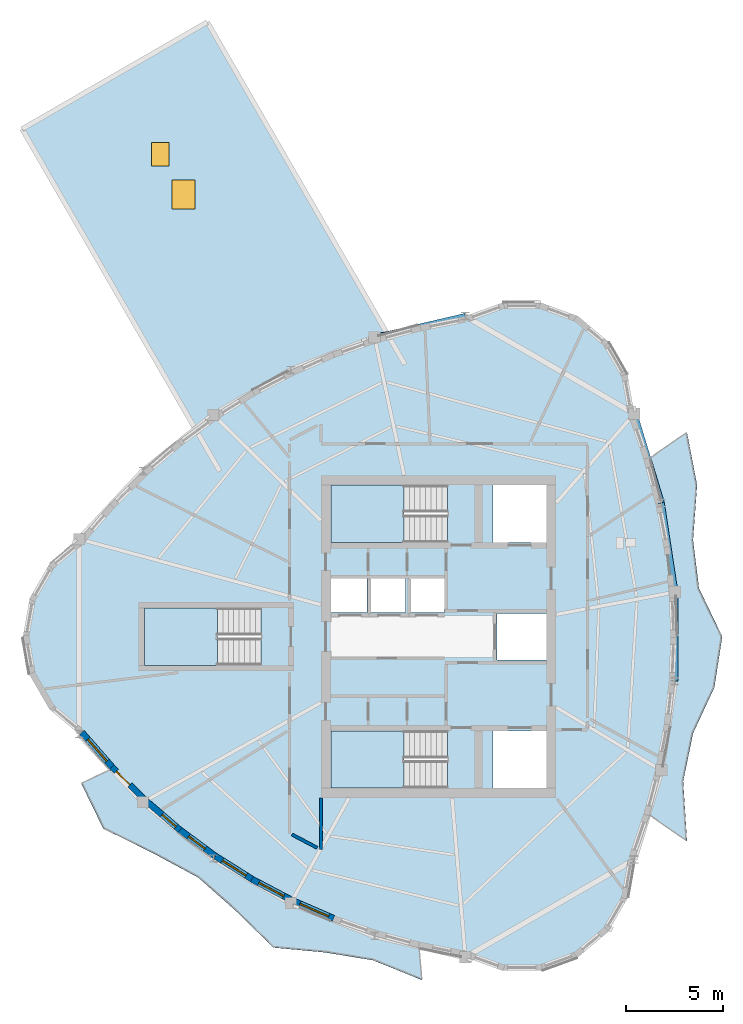
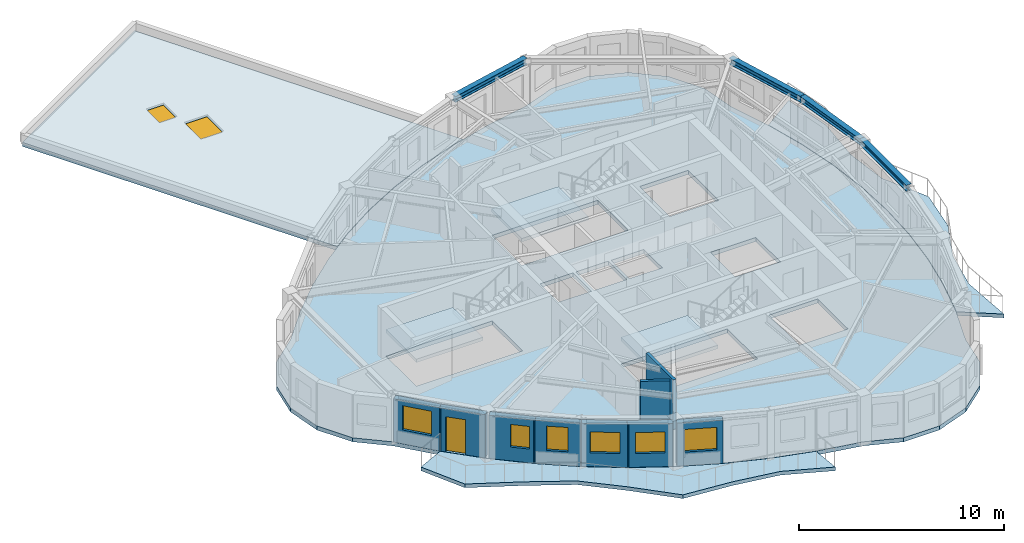
# One storey, part 2 of 11: 9 walls, 8 windows, 7 slabs, 4 beams, 1 door, 9 openings, 3 elements without a shape of their own.
"""IFC4 building model written with IfcOpenShell, lengths in metres."""

from ifc_helpers import new_model, si_unit, direction, frame, frame_2d, origin, origin_2d, place, context, subcontext, project, spatial, polyline, rectangle, i_section, outline, extrude, source, transform, mapped, material, layer, layer_set, material_profile, profile_set, type_object, element, fill, aggregate, save


model = new_model("IFC4")

# Units and contexts
model_context = context("Model", 3, precision=1e-05, world=origin(), true_north=direction((0.0, 1.0)))
body_context = subcontext(model_context, "Body", "Model", "MODEL_VIEW")
ifc_project = project(units=[si_unit("LENGTHUNIT", "METRE"), si_unit("AREAUNIT", "SQUARE_METRE"), si_unit("VOLUMEUNIT", "CUBIC_METRE"), si_unit("PLANEANGLEUNIT", "RADIAN"), si_unit("MASSUNIT", "GRAM", prefix="KILO")], contexts=[model_context])

# Site, building, storey
site_placement = place(None, origin())
site = spatial("IfcSite", under=ifc_project, at=site_placement, CompositionType="ELEMENT")
building_placement = place(site_placement, origin())
building = spatial("IfcBuilding", under=site, at=building_placement, Name="Qafzar Sky-Pleat Residences", CompositionType="ELEMENT")
storey_placement = place(building_placement, frame((0.0, 0.0, 214.800048828125)))
storey = spatial("IfcBuildingStorey", under=building, at=storey_placement, Name="L64", CompositionType="ELEMENT", Elevation=214.800048828125)

# Beams
ifc_material_1 = material(Name="Steel S355", Category="steel")
ifc_material_profile = material_profile(ifc_material_1, i_section(OverallWidth=0.300048828125, OverallDepth=0.360107421875, WebThickness=0.012451171875, FlangeThickness=0.0224609375, FilletRadius=0.027099609375, at=origin_2d()), Name="HEB 360")
ifc_profile_set = profile_set([ifc_material_profile], Name="Steel S355")
beam_type = type_object("IfcBeamType", Name="BM-SPAN-HEB360", PredefinedType="SPANDREL", material=ifc_profile_set)
shared_shape_1 = source(origin(), body_context, "Body", "SweptSolid", [
    extrude(i_section(OverallWidth=0.300048828125, OverallDepth=0.360107421875, WebThickness=0.012451171875, FlangeThickness=0.0224609375, FilletRadius=0.027099609375, at=origin_2d()), origin(), (0.0, 0.0, 1.0), 4.797119140625),
])
beam_1_placement = place(storey_placement, frame((41.8203125, 32.885009765625, 2.77783203125), z_axis=(-0.290847707489, 0.95676936147, 0.0), x_axis=(-0.95676936147, -0.290847707489, 0.0)))
element("IfcBeam", 1, at=beam_1_placement, inside=storey, type_object=beam_type, Name="L64 Perimeter Spandrel Beam 12", PredefinedType="SPANDREL", context=body_context, shape_type="MappedRepresentation", body=[
    mapped(shared_shape_1, transform((0.0, 0.0, 0.0), x_axis=(1.0, 0.0, 0.0), y_axis=(0.0, 1.0, 0.0), z_axis=(0.0, 0.0, 1.0), scale=1.0)),
])
shared_shape_2 = source(origin(), body_context, "Body", "SweptSolid", [
    extrude(i_section(OverallWidth=0.300048828125, OverallDepth=0.360107421875, WebThickness=0.012451171875, FlangeThickness=0.0224609375, FilletRadius=0.027099609375, at=origin_2d()), origin(), (0.0, 0.0, 1.0), 4.797607421875),
])
beam_2_placement = place(storey_placement, frame((31.72509765625, 42.497802734375, 2.77783203125), z_axis=(-0.974009854719, -0.226505635494, 0.0), x_axis=(0.226505635494, -0.974009854719, 0.0)))
element("IfcBeam", 2, at=beam_2_placement, inside=storey, type_object=beam_type, Name="L64 Perimeter Spandrel Beam 14", PredefinedType="SPANDREL", context=body_context, shape_type="MappedRepresentation", body=[
    mapped(shared_shape_2, transform((0.0, 0.0, 0.0), x_axis=(1.0, 0.0, 0.0), y_axis=(0.0, 1.0, 0.0), z_axis=(0.0, 0.0, 1.0), scale=1.0)),
])
shared_shape_3 = source(origin(), body_context, "Body", "SweptSolid", [
    extrude(i_section(OverallWidth=0.300048828125, OverallDepth=0.360107421875, WebThickness=0.012451171875, FlangeThickness=0.0224609375, FilletRadius=0.027099609375, at=origin_2d()), origin(), (0.0, 0.0, 1.0), 4.642822265625),
])
beam_3_placement = place(storey_placement, frame((42.51806640625, 28.294921875, 2.77783203125), z_axis=(-0.150286694564, 0.988642457837, 0.0), x_axis=(-0.988642457837, -0.150286694564, 0.0)))
element("IfcBeam", 3, at=beam_3_placement, inside=storey, type_object=beam_type, Name="L64 Perimeter Spandrel Beam 11", PredefinedType="SPANDREL", context=body_context, shape_type="MappedRepresentation", body=[
    mapped(shared_shape_3, transform((0.0, 0.0, 0.0), x_axis=(1.0, 0.0, 0.0), y_axis=(0.0, 1.0, 0.0), z_axis=(0.0, 0.0, 1.0), scale=1.0)),
])
shared_shape_4 = source(origin(), body_context, "Body", "SweptSolid", [
    extrude(i_section(OverallWidth=0.300048828125, OverallDepth=0.360107421875, WebThickness=0.012451171875, FlangeThickness=0.0224609375, FilletRadius=0.027099609375, at=origin_2d()), origin(), (0.0, 0.0, 1.0), 4.58984375),
])
beam_4_placement = place(storey_placement, frame((42.51806640625, 23.705078125, 2.77783203125), z_axis=(0.0, 1.0, 0.0), x_axis=(-1.0, 0.0, 0.0)))
element("IfcBeam", 4, at=beam_4_placement, inside=storey, type_object=beam_type, Name="L64 Perimeter Spandrel Beam 10", PredefinedType="SPANDREL", context=body_context, shape_type="MappedRepresentation", body=[
    mapped(shared_shape_4, transform((0.0, 0.0, 0.0), x_axis=(1.0, 0.0, 0.0), y_axis=(0.0, 1.0, 0.0), z_axis=(0.0, 0.0, 1.0), scale=1.0)),
])

# Slabs
ifc_material_2 = material(Name="Concrete C40/50", Category="concrete")
ifc_layer_1 = layer(ifc_material_2, 0.219970703125)
ifc_layer_set_1 = layer_set([ifc_layer_1], Name="Concrete C40/50")
slab_type_1 = type_object("IfcSlabType", Name="SLAB-BAL-220", PredefinedType="USERDEFINED", material=ifc_layer_set_1)
slab_1_placement = place(storey_placement, frame((0.0, 0.0, -0.219970703125)))
element("IfcSlab", 5, at=slab_1_placement, inside=storey, type_object=slab_type_1, Name="L64 Pleated Stone Balcony 1", ObjectType="BALCONY", PredefinedType="USERDEFINED", context=body_context, shape_type="SweptSolid", body=[
    extrude(outline(polyline([(41.8310546875, 19.109619140625), (42.267822265625, 21.406494140625), (42.52978515625, 23.703125), (42.6171875, 26.0), (42.52978515625, 28.296875), (42.267822265625, 30.593505859375), (41.8310546875, 32.890380859375), (41.2197265625, 35.186767578125), (43.1337890625, 36.516845703125), (43.6552734375, 33.799072265625), (43.4462890625, 30.972900390625), (43.752685546875, 28.490234375), (44.947998046875, 26.0), (44.54296875, 23.385009765625), (43.4462890625, 21.027099609375), (42.939208984375, 18.5576171875), (43.1337890625, 15.483154296875), (41.2197265625, 16.813232421875), (41.8310546875, 19.109619140625)])), origin(), (0.0, 0.0, 1.0), 0.219970703125),
])
slab_2_placement = place(storey_placement, frame((0.0, 0.0, -0.219970703125)))
element("IfcSlab", 6, at=slab_2_placement, inside=storey, type_object=slab_type_1, Name="L64 Pleated Stone Balcony 2", ObjectType="BALCONY", PredefinedType="USERDEFINED", context=body_context, shape_type="SweptSolid", body=[
    extrude(outline(polyline([(15.1171875, 17.467041015625), (16.887939453125, 15.9404296875), (18.74609375, 14.565185546875), (20.69140625, 13.341064453125), (22.72412109375, 12.268310546875), (24.84423828125, 11.346923828125), (27.051513671875, 10.576904296875), (29.34619140625, 9.9580078125), (29.483154296875, 8.32568359375), (26.9755859375, 9.34130859375), (24.49951171875, 9.74560546875), (21.849853515625, 9.99267578125), (19.872314453125, 11.922607421875), (17.967041015625, 13.602783203125), (15.673583984375, 14.84130859375), (13.084716796875, 16.120849609375), (11.9521484375, 18.447265625), (13.43408203125, 19.144775390625), (15.1171875, 17.467041015625)])), origin(), (0.0, 0.0, 1.0), 0.219970703125),
])
ifc_layer_2 = layer(ifc_material_2, 0.239990234375)
ifc_layer_set_2 = layer_set([ifc_layer_2], Name="Concrete C40/50")
slab_type_2 = type_object("IfcSlabType", Name="SLAB-FLR-240", PredefinedType="FLOOR", material=ifc_layer_set_2)
slab_3_placement = place(storey_placement, frame((0.0, 0.0, -0.239990234375)))
element("IfcSlab", 7, at=slab_3_placement, inside=storey, type_object=slab_type_2, Name="L64 Structural Floor Slab", PredefinedType="FLOOR", context=body_context, shape_type="SweptSolid", body=[
    extrude(outline(polyline([(11.85009765625, 31.02294921875), (10.306884765625, 29.728271484375), (9.2998046875, 27.983642578125), (8.949951171875, 26.0), (9.2998046875, 24.016357421875), (10.306884765625, 22.271728515625), (11.85009765625, 20.97705078125), (13.445068359375, 19.14990234375), (15.127197265625, 17.4736328125), (16.896728515625, 15.948486328125), (18.75341796875, 14.574462890625), (20.697509765625, 13.3515625), (22.728515625, 12.279541015625), (24.8466796875, 11.358642578125), (27.05224609375, 10.5888671875), (29.34521484375, 9.969970703125), (31.72509765625, 9.502197265625), (33.617919921875, 8.813232421875), (35.632080078125, 8.813232421875), (37.52490234375, 9.502197265625), (39.068115234375, 10.797119140625), (40.0751953125, 12.54150390625), (40.425048828125, 14.525146484375), (41.2099609375, 16.820068359375), (41.8203125, 19.114990234375), (42.25634765625, 21.41015625), (42.51806640625, 23.705078125), (42.605224609375, 26.0), (42.51806640625, 28.294921875), (42.25634765625, 30.58984375), (41.8203125, 32.885009765625), (41.2099609375, 35.179931640625), (40.425048828125, 37.474853515625), (40.0751953125, 39.45849609375), (39.068115234375, 41.202880859375), (37.52490234375, 42.497802734375), (35.632080078125, 43.186767578125), (33.617919921875, 43.186767578125), (31.72509765625, 42.497802734375), (29.34521484375, 42.030029296875), (27.05224609375, 41.4111328125), (24.8466796875, 40.641357421875), (22.728515625, 39.720458984375), (20.697509765625, 38.6484375), (18.75341796875, 37.425537109375), (16.896728515625, 36.051513671875), (15.127197265625, 34.5263671875), (13.445068359375, 32.85009765625), (11.85009765625, 31.02294921875)]), holes=[polyline([(30.797119140625, 21.14990234375), (24.800048828125, 21.14990234375), (24.800048828125, 18.199951171875), (30.797119140625, 18.199951171875), (30.797119140625, 21.14990234375)]), polyline([(30.797119140625, 33.800048828125), (24.800048828125, 33.800048828125), (24.800048828125, 30.85009765625), (30.797119140625, 30.85009765625), (30.797119140625, 33.800048828125)]), polyline([(21.197021484375, 27.47509765625), (15.199951171875, 27.47509765625), (15.199951171875, 24.52490234375), (21.197021484375, 24.52490234375), (21.197021484375, 27.47509765625)]), polyline([(24.800048828125, 27.25), (26.64990234375, 27.25), (26.64990234375, 29.050048828125), (24.800048828125, 29.050048828125), (24.800048828125, 27.25)]), polyline([(26.800048828125, 27.25), (28.64990234375, 27.25), (28.64990234375, 29.050048828125), (26.800048828125, 29.050048828125), (26.800048828125, 27.25)]), polyline([(28.800048828125, 27.25), (30.64990234375, 27.25), (30.64990234375, 29.050048828125), (28.800048828125, 29.050048828125), (28.800048828125, 27.25)]), polyline([(33.14990234375, 18.199951171875), (35.89990234375, 18.199951171875), (35.89990234375, 21.14990234375), (33.14990234375, 21.14990234375), (33.14990234375, 18.199951171875)]), polyline([(33.14990234375, 30.85009765625), (35.89990234375, 30.85009765625), (35.89990234375, 33.800048828125), (33.14990234375, 33.800048828125), (33.14990234375, 30.85009765625)]), polyline([(33.35009765625, 24.800048828125), (35.89990234375, 24.800048828125), (35.89990234375, 27.199951171875), (33.35009765625, 27.199951171875), (33.35009765625, 24.800048828125)])]), origin(), (0.0, 0.0, 1.0), 0.239990234375),
])

# Stair, slab
stair_type = type_object("IfcStairType", Name="STAIR-H320", PredefinedType="HALF_TURN_STAIR", material=ifc_material_2)
stair_1_placement = place(storey_placement, origin())
stair_1 = element("IfcStair", 8, at=stair_1_placement, inside=storey, type_object=stair_type, Name="L64 Protected Exit Stair ST1", PredefinedType="HALF_TURN_STAIR")
ifc_layer_3 = layer(ifc_material_2, 0.199951171875)
ifc_layer_set_3 = layer_set([ifc_layer_3], Name="Concrete C40/50")
slab_type_3 = type_object("IfcSlabType", Name="SLAB-LANDING-200", PredefinedType="LANDING", material=ifc_layer_set_3)
slab_4_placement = place(storey_placement, frame((0.0, 0.0, 1.39990234375)))
slab_4 = element("IfcSlab", 9, at=slab_4_placement, type_object=slab_type_3, Name="ST1 landing 1", PredefinedType="LANDING", context=body_context, shape_type="SweptSolid", body=[
    extrude(outline(polyline([(28.56005859375, 21.14990234375), (24.800048828125, 21.14990234375), (24.800048828125, 18.199951171875), (28.56005859375, 18.199951171875), (28.56005859375, 21.14990234375)])), origin(), (0.0, 0.0, 1.0), 0.199951171875),
])
aggregate(stair_1, [slab_4])

stair_2_placement = place(storey_placement, origin())
stair_2 = element("IfcStair", 10, at=stair_2_placement, inside=storey, type_object=stair_type, Name="L64 Protected Exit Stair ST2", PredefinedType="HALF_TURN_STAIR")
slab_5_placement = place(storey_placement, frame((0.0, 0.0, 1.39990234375)))
slab_5 = element("IfcSlab", 11, at=slab_5_placement, type_object=slab_type_3, Name="ST2 landing 1", PredefinedType="LANDING", context=body_context, shape_type="SweptSolid", body=[
    extrude(outline(polyline([(28.56005859375, 33.800048828125), (24.800048828125, 33.800048828125), (24.800048828125, 30.85009765625), (28.56005859375, 30.85009765625), (28.56005859375, 33.800048828125)])), origin(), (0.0, 0.0, 1.0), 0.199951171875),
])
aggregate(stair_2, [slab_5])

stair_3_placement = place(storey_placement, origin())
stair_3 = element("IfcStair", 12, at=stair_3_placement, inside=storey, type_object=stair_type, Name="L64 Protected Exit Stair ST3", PredefinedType="HALF_TURN_STAIR")
slab_6_placement = place(storey_placement, frame((0.0, 0.0, 1.39990234375)))
slab_6 = element("IfcSlab", 13, at=slab_6_placement, type_object=slab_type_3, Name="ST3 landing 1", PredefinedType="LANDING", context=body_context, shape_type="SweptSolid", body=[
    extrude(outline(polyline([(18.9599609375, 27.47509765625), (15.199951171875, 27.47509765625), (15.199951171875, 24.52490234375), (18.9599609375, 24.52490234375), (18.9599609375, 27.47509765625)])), origin(), (0.0, 0.0, 1.0), 0.199951171875),
])
aggregate(stair_3, [slab_6])

# Slab, openings, windows
ifc_layer_4 = layer(ifc_material_2, 0.235107421875)
ifc_layer_set_4 = layer_set([ifc_layer_4], Name="Concrete C40/50")
slab_type_4 = type_object("IfcSlabType", Name="SLAB-ROOF-235", PredefinedType="ROOF", material=ifc_layer_set_4)
slab_7_placement = place(storey_placement, frame((0.0, 0.0, -0.235107421875)))
slab_7 = element("IfcSlab", 14, at=slab_7_placement, inside=storey, type_object=slab_type_4, Name="L64 SB-5 Weatherproof Roof Deck", PredefinedType="ROOF", context=body_context, shape_type="SweptSolid", body=[
    extrude(outline(polyline([(8.912353515625, 52.131103515625), (18.438720703125, 57.631103515625), (27.694091796875, 41.60009765625), (27.04833984375, 41.42578125), (27.04736328125, 41.42529296875), (24.841796875, 40.655517578125), (24.8408203125, 40.6552734375), (22.722412109375, 39.734130859375), (22.721435546875, 39.733642578125), (20.6904296875, 38.661865234375), (20.689453125, 38.6611328125), (18.74560546875, 37.438232421875), (18.74462890625, 37.4375), (17.799560546875, 36.738037109375), (8.912353515625, 52.131103515625)])), origin(), (0.0, 0.0, 1.0), 0.235107421875),
])
opening_1_placement = place(slab_7_placement, frame((17.212890625, 48.75439453125, -0.010009765625)))
opening_1 = element("IfcOpeningElement", 15, at=opening_1_placement, cuts=slab_7, Name="Opening RH-01", PredefinedType="OPENING", context=body_context, shape_type="SweptSolid", body=[
    extrude(rectangle(XDim=1.199951171875, YDim=1.5, at=origin_2d()), origin(), (0.0, 0.0, 1.0), 0.255126953125),
])
opening_2_placement = place(slab_7_placement, frame((16.0126953125, 50.832763671875, -0.010009765625)))
opening_2 = element("IfcOpeningElement", 16, at=opening_2_placement, cuts=slab_7, Name="Opening RH-02", PredefinedType="OPENING", context=body_context, shape_type="SweptSolid", body=[
    extrude(rectangle(XDim=0.89990234375, YDim=1.199951171875, at=origin_2d()), origin(), (0.0, 0.0, 1.0), 0.255126953125),
])
ifc_material_3 = material(Name="Insulated safety glass roof hatch", Category="glass")
window_type_1 = type_object("IfcWindowType", Name="WIN-SKYLIGHT-1200", PartitioningType="SINGLE_PANEL", PredefinedType="SKYLIGHT", material=ifc_material_3)
window_1_placement = place(slab_7_placement, frame((17.212890625, 48.75439453125, 0.18505859375)))
window_1 = element("IfcWindow", 17, at=window_1_placement, inside=storey, type_object=window_type_1, Name="L64 SB-5 Roof Maintenance Skylight Hatch", OverallHeight=1.5, OverallWidth=1.199951171875, PartitioningType="SINGLE_PANEL", PredefinedType="SKYLIGHT", context=body_context, shape_type="SweptSolid", body=[
    extrude(rectangle(XDim=1.199951171875, YDim=1.5, at=origin_2d()), origin(), (0.0, 0.0, 1.0), 0.050048828125),
])
fill(opening_1, window_1)
window_type_2 = type_object("IfcWindowType", Name="WIN-SKYLIGHT-900", PartitioningType="SINGLE_PANEL", PredefinedType="SKYLIGHT", material=ifc_material_3)
window_2_placement = place(slab_7_placement, frame((16.0126953125, 50.832763671875, 0.18505859375)))
window_2 = element("IfcWindow", 18, at=window_2_placement, inside=storey, type_object=window_type_2, Name="L64 SB-5 Roof Inspection Skylight Hatch", OverallHeight=1.199951171875, OverallWidth=0.89990234375, PartitioningType="SINGLE_PANEL", PredefinedType="SKYLIGHT", context=body_context, shape_type="SweptSolid", body=[
    extrude(rectangle(XDim=0.89990234375, YDim=1.199951171875, at=origin_2d()), origin(), (0.0, 0.0, 1.0), 0.050048828125),
])
fill(opening_2, window_2)

# Walls
ifc_material_4 = material(Name="Acoustic gypsum plasterboard partition", Category="gypsum")
ifc_layer_5 = layer(ifc_material_4, 0.159912109375)
ifc_layer_set_5 = layer_set([ifc_layer_5], Name="Acoustic gypsum plasterboard partition")
wall_type_1 = type_object("IfcWallType", Name="PART-COR-160", PredefinedType="PARTITIONING", material=ifc_layer_set_5)
wall_1_placement = place(storey_placement, frame((24.300048828125, 15.0419921875, 0.0), z_axis=(0.0, 0.0, 1.0), x_axis=(0.0, 1.0, 0.0)))
element("IfcWall", 19, at=wall_1_placement, inside=storey, type_object=wall_type_1, Name="L64 Partition Wall PART-L64-PW-021", PredefinedType="PARTITIONING", context=body_context, shape_type="SweptSolid", body=[
    extrude(rectangle(XDim=2.64990234375, YDim=0.159912109375, at=frame_2d((1.324951171875, 0.0))), origin(), (0.0, 0.0, 1.0), 2.9599609375),
])
wall_2_placement = place(storey_placement, frame((22.804443359375, 15.8125, 0.0), z_axis=(0.0, 0.0, 1.0), x_axis=(0.884396237216, -0.466736859052, 0.0)))
element("IfcWall", 20, at=wall_2_placement, inside=storey, type_object=wall_type_1, Name="L64 Partition Wall PART-L64-PW-024", PredefinedType="PARTITIONING", context=body_context, shape_type="SweptSolid", body=[
    extrude(rectangle(XDim=1.462646484375, YDim=0.159912109375, at=frame_2d((0.7314453125, 0.0))), origin(), (0.0, 0.0, 1.0), 2.9599609375),
])

# Wall, opening, window
ifc_material_5 = material(Name="Precast concrete C40/50 with honed Riyadh limestone", Category="concrete")
ifc_layer_6 = layer(ifc_material_5, 0.320068359375)
ifc_layer_set_6 = layer_set([ifc_layer_6], Name="Precast concrete C40/50 with honed Riyadh limestone")
wall_type_2 = type_object("IfcWallType", Name="WALL-EXT-320", PredefinedType="SOLIDWALL", material=ifc_layer_set_6)
wall_3_placement = place(storey_placement, frame((11.983642578125, 21.0673828125, 0.0), z_axis=(0.0, 0.0, 1.0), x_axis=(0.657577552216, -0.753386861328, 0.0)))
wall_3 = element("IfcWall", 21, at=wall_3_placement, inside=storey, type_object=wall_type_2, Name="L64 Limestone Facade Wall 7", PredefinedType="SOLIDWALL", context=body_context, shape_type="SweptSolid", body=[
    extrude(rectangle(XDim=2.443603515625, YDim=0.320068359375, at=frame_2d((1.2216796875, 0.0))), origin(), (0.0, 0.0, 1.0), 2.579833984375),
])
opening_3_placement = place(wall_3_placement, frame((0.4619140625, 0.0, 0.820068359375)))
opening_3 = element("IfcOpeningElement", 22, at=opening_3_placement, cuts=wall_3, Name="Opening WN-03", PredefinedType="OPENING", context=body_context, shape_type="SweptSolid", body=[
    extrude(rectangle(XDim=1.5, YDim=1.449951171875, at=frame_2d((0.75, 0.72509765625))), frame((0.0, 0.169921875, 0.0), z_axis=(0.0, -1.0, 0.0), x_axis=(1.0, 0.0, 0.0)), (0.0, 0.0, 1.0), 0.340087890625),
])
ifc_material_6 = material(Name="Solar-control low-E glass in bronze aluminium frame", Category="glass")
window_type_3 = type_object("IfcWindowType", Name="WIN-03", PartitioningType="DOUBLE_PANEL_VERTICAL", PredefinedType="WINDOW", material=ifc_material_6)
shared_shape_5 = source(origin(), body_context, "Body", "SweptSolid", [
    extrude(rectangle(XDim=1.5, YDim=1.449951171875, at=frame_2d((0.75, 0.72509765625))), frame((0.0, 0.030029296875, 0.0), z_axis=(0.0, -1.0, 0.0), x_axis=(1.0, 0.0, 0.0)), (0.0, 0.0, 1.0), 0.06005859375),
])
window_3_placement = place(opening_3_placement, origin())
window_3 = element("IfcWindow", 23, at=window_3_placement, inside=storey, type_object=window_type_3, Name="L64 Punched Facade Window 07", OverallHeight=1.449951171875, OverallWidth=1.5, PartitioningType="SINGLE_PANEL", PredefinedType="WINDOW", context=body_context, shape_type="MappedRepresentation", body=[
    mapped(shared_shape_5, transform((0.0, 0.0, 0.0), x_axis=(1.0, 0.0, 0.0), y_axis=(0.0, 1.0, 0.0), z_axis=(0.0, 0.0, 1.0), scale=1.0)),
])
fill(opening_3, window_3)

# Wall, opening, door
wall_4_placement = place(storey_placement, frame((13.531005859375, 19.2900390625, 0.0), z_axis=(0.0, 0.0, 1.0), x_axis=(0.708419394795, -0.705791726417, 0.0)))
wall_4 = element("IfcWall", 24, at=wall_4_placement, inside=storey, type_object=wall_type_2, Name="L64 Limestone Facade Wall 8", PredefinedType="SOLIDWALL", context=body_context, shape_type="SweptSolid", body=[
    extrude(rectangle(XDim=2.32275390625, YDim=0.320068359375, at=frame_2d((1.161376953125, 0.0))), origin(), (0.0, 0.0, 1.0), 2.579833984375),
])
opening_4_placement = place(wall_4_placement, frame((0.31298828125, 0.0, 0.0)))
opening_4 = element("IfcOpeningElement", 25, at=opening_4_placement, cuts=wall_4, Name="Opening ED-05", PredefinedType="OPENING", context=body_context, shape_type="SweptSolid", body=[
    extrude(rectangle(XDim=1.0, YDim=2.10009765625, at=frame_2d((0.5, 1.050048828125))), frame((0.0, 0.169921875, 0.0), z_axis=(0.0, -1.0, 0.0), x_axis=(1.0, 0.0, 0.0)), (0.0, 0.0, 1.0), 0.340087890625),
])
ifc_material_7 = material(Name="Glazed bronze aluminium door", Category="aluminium")
door_type = type_object("IfcDoorType", Name="DR-BAL-1000", OperationType="NOTDEFINED", PredefinedType="DOOR", material=ifc_material_7)
shared_shape_6 = source(origin(), body_context, "Body", "SweptSolid", [
    extrude(rectangle(XDim=1.0, YDim=2.10009765625, at=frame_2d((0.5, 1.050048828125))), frame((0.0, 0.02490234375, 0.0), z_axis=(0.0, -1.0, 0.0), x_axis=(1.0, 0.0, 0.0)), (0.0, 0.0, 1.0), 0.050048828125),
])
door_placement = place(opening_4_placement, origin())
door = element("IfcDoor", 26, at=door_placement, inside=storey, type_object=door_type, Name="L64 Glazed Balcony Door 2", OperationType="SINGLE_SWING_LEFT", OverallHeight=2.10009765625, OverallWidth=1.0, PredefinedType="DOOR", context=body_context, shape_type="MappedRepresentation", body=[
    mapped(shared_shape_6, transform((0.0, 0.0, 0.0), x_axis=(1.0, 0.0, 0.0), y_axis=(0.0, 1.0, 0.0), z_axis=(0.0, 0.0, 1.0), scale=1.0)),
])
fill(opening_4, door)

# Wall, opening, window
wall_5_placement = place(storey_placement, frame((15.2998046875, 17.5361328125, 0.0), z_axis=(0.0, 0.0, 1.0), x_axis=(0.757488333031, -0.652848700177, 0.0)))
wall_5 = element("IfcWall", 27, at=wall_5_placement, inside=storey, type_object=wall_type_2, Name="L64 Limestone Facade Wall 9", PredefinedType="SOLIDWALL", context=body_context, shape_type="SweptSolid", body=[
    extrude(rectangle(XDim=2.2841796875, YDim=0.320068359375, at=frame_2d((1.14208984375, 0.0))), origin(), (0.0, 0.0, 1.0), 2.579833984375),
])
opening_5_placement = place(wall_5_placement, frame((1.06689453125, 0.0, 0.820068359375)))
opening_5 = element("IfcOpeningElement", 28, at=opening_5_placement, cuts=wall_5, Name="Opening WN-12", PredefinedType="OPENING", context=body_context, shape_type="SweptSolid", body=[
    extrude(rectangle(XDim=0.949951171875, YDim=1.35009765625, at=frame_2d((0.47509765625, 0.675048828125))), frame((0.0, 0.169921875, 0.0), z_axis=(0.0, -1.0, 0.0), x_axis=(1.0, 0.0, 0.0)), (0.0, 0.0, 1.0), 0.340087890625),
])
window_type_4 = type_object("IfcWindowType", Name="WIN-12", PartitioningType="SINGLE_PANEL", PredefinedType="WINDOW", material=ifc_material_6)
shared_shape_7 = source(origin(), body_context, "Body", "SweptSolid", [
    extrude(rectangle(XDim=0.949951171875, YDim=1.35009765625, at=frame_2d((0.47509765625, 0.675048828125))), frame((0.0, 0.030029296875, 0.0), z_axis=(0.0, -1.0, 0.0), x_axis=(1.0, 0.0, 0.0)), (0.0, 0.0, 1.0), 0.06005859375),
])
window_4_placement = place(opening_5_placement, origin())
window_4 = element("IfcWindow", 29, at=window_4_placement, inside=storey, type_object=window_type_4, Name="L64 Punched Facade Window 09-2", OverallHeight=1.35009765625, OverallWidth=0.949951171875, PartitioningType="SINGLE_PANEL", PredefinedType="WINDOW", context=body_context, shape_type="MappedRepresentation", body=[
    mapped(shared_shape_7, transform((0.0, 0.0, 0.0), x_axis=(1.0, 0.0, 0.0), y_axis=(0.0, 1.0, 0.0), z_axis=(0.0, 0.0, 1.0), scale=1.0)),
])
fill(opening_5, window_4)

wall_6_placement = place(storey_placement, frame((16.96142578125, 16.099853515625, 0.0), z_axis=(0.0, 0.0, 1.0), x_axis=(0.803809802043, -0.594886377504, 0.0)))
wall_6 = element("IfcWall", 30, at=wall_6_placement, inside=storey, type_object=wall_type_2, Name="L64 Limestone Facade Wall 10", PredefinedType="SOLIDWALL", context=body_context, shape_type="SweptSolid", body=[
    extrude(rectangle(XDim=2.327880859375, YDim=0.320068359375, at=frame_2d((1.1640625, 0.0))), origin(), (0.0, 0.0, 1.0), 2.579833984375),
])
opening_6_placement = place(wall_6_placement, frame((0.64892578125, 0.0, 0.820068359375)))
opening_6 = element("IfcOpeningElement", 31, at=opening_6_placement, cuts=wall_6, Name="Opening WN-06", PredefinedType="OPENING", context=body_context, shape_type="SweptSolid", body=[
    extrude(rectangle(XDim=1.050048828125, YDim=1.449951171875, at=frame_2d((0.52490234375, 0.72509765625))), frame((0.0, 0.169921875, 0.0), z_axis=(0.0, -1.0, 0.0), x_axis=(1.0, 0.0, 0.0)), (0.0, 0.0, 1.0), 0.340087890625),
])
window_type_5 = type_object("IfcWindowType", Name="WIN-06", PartitioningType="SINGLE_PANEL", PredefinedType="WINDOW", material=ifc_material_6)
shared_shape_8 = source(origin(), body_context, "Body", "SweptSolid", [
    extrude(rectangle(XDim=1.050048828125, YDim=1.449951171875, at=frame_2d((0.52490234375, 0.72509765625))), frame((0.0, 0.030029296875, 0.0), z_axis=(0.0, -1.0, 0.0), x_axis=(1.0, 0.0, 0.0)), (0.0, 0.0, 1.0), 0.06005859375),
])
window_5_placement = place(opening_6_placement, origin())
window_5 = element("IfcWindow", 32, at=window_5_placement, inside=storey, type_object=window_type_5, Name="L64 Punched Facade Window 10", OverallHeight=1.449951171875, OverallWidth=1.050048828125, PartitioningType="SINGLE_PANEL", PredefinedType="WINDOW", context=body_context, shape_type="MappedRepresentation", body=[
    mapped(shared_shape_8, transform((0.0, 0.0, 0.0), x_axis=(1.0, 0.0, 0.0), y_axis=(0.0, 1.0, 0.0), z_axis=(0.0, 0.0, 1.0), scale=1.0)),
])
fill(opening_6, window_5)

wall_7_placement = place(storey_placement, frame((18.855712890625, 14.69921875, 0.0), z_axis=(0.0, 0.0, 1.0), x_axis=(0.846430078552, -0.532499879927, 0.0)))
wall_7 = element("IfcWall", 33, at=wall_7_placement, inside=storey, type_object=wall_type_2, Name="L64 Limestone Facade Wall 11", PredefinedType="SOLIDWALL", context=body_context, shape_type="SweptSolid", body=[
    extrude(rectangle(XDim=2.314453125, YDim=0.320068359375, at=frame_2d((1.1572265625, 0.0))), origin(), (0.0, 0.0, 1.0), 2.579833984375),
])
opening_7_placement = place(wall_7_placement, frame((0.42236328125, 0.0, 0.820068359375)))
opening_7 = element("IfcOpeningElement", 34, at=opening_7_placement, cuts=wall_7, Name="Opening WN-15", PredefinedType="OPENING", context=body_context, shape_type="SweptSolid", body=[
    extrude(rectangle(XDim=1.449951171875, YDim=1.25, at=frame_2d((0.72509765625, 0.625))), frame((0.0, 0.169921875, 0.0), z_axis=(0.0, -1.0, 0.0), x_axis=(1.0, 0.0, 0.0)), (0.0, 0.0, 1.0), 0.340087890625),
])
window_type_6 = type_object("IfcWindowType", Name="WIN-15", PartitioningType="SINGLE_PANEL", PredefinedType="WINDOW", material=ifc_material_6)
shared_shape_9 = source(origin(), body_context, "Body", "SweptSolid", [
    extrude(rectangle(XDim=1.449951171875, YDim=1.25, at=frame_2d((0.72509765625, 0.625))), frame((0.0, 0.030029296875, 0.0), z_axis=(0.0, -1.0, 0.0), x_axis=(1.0, 0.0, 0.0)), (0.0, 0.0, 1.0), 0.06005859375),
])
window_6_placement = place(opening_7_placement, origin())
window_6 = element("IfcWindow", 35, at=window_6_placement, inside=storey, type_object=window_type_6, Name="L64 Punched Facade Window 11", OverallHeight=1.25, OverallWidth=1.449951171875, PartitioningType="SINGLE_PANEL", PredefinedType="WINDOW", context=body_context, shape_type="MappedRepresentation", body=[
    mapped(shared_shape_9, transform((0.0, 0.0, 0.0), x_axis=(1.0, 0.0, 0.0), y_axis=(0.0, 1.0, 0.0), z_axis=(0.0, 0.0, 1.0), scale=1.0)),
])
fill(opening_7, window_6)

wall_8_placement = place(storey_placement, frame((20.738525390625, 13.5107421875, 0.0), z_axis=(0.0, 0.0, 1.0), x_axis=(0.884400965922, -0.466727898754, 0.0)))
wall_8 = element("IfcWall", 36, at=wall_8_placement, inside=storey, type_object=wall_type_2, Name="L64 Limestone Facade Wall 12", PredefinedType="SOLIDWALL", context=body_context, shape_type="SweptSolid", body=[
    extrude(rectangle(XDim=2.24462890625, YDim=0.320068359375, at=frame_2d((1.122314453125, 0.0))), origin(), (0.0, 0.0, 1.0), 2.579833984375),
])
opening_8_placement = place(wall_8_placement, frame((0.40234375, 0.0, 0.820068359375)))
opening_8 = element("IfcOpeningElement", 37, at=opening_8_placement, cuts=wall_8, Name="Opening WN-15", PredefinedType="OPENING", context=body_context, shape_type="SweptSolid", body=[
    extrude(rectangle(XDim=1.449951171875, YDim=1.25, at=frame_2d((0.72509765625, 0.625))), frame((0.0, 0.169921875, 0.0), z_axis=(0.0, -1.0, 0.0), x_axis=(1.0, 0.0, 0.0)), (0.0, 0.0, 1.0), 0.340087890625),
])
window_7_placement = place(opening_8_placement, origin())
window_7 = element("IfcWindow", 38, at=window_7_placement, inside=storey, type_object=window_type_6, Name="L64 Punched Facade Window 12", OverallHeight=1.25, OverallWidth=1.449951171875, PartitioningType="SINGLE_PANEL", PredefinedType="WINDOW", context=body_context, shape_type="MappedRepresentation", body=[
    mapped(shared_shape_9, transform((0.0, 0.0, 0.0), x_axis=(1.0, 0.0, 0.0), y_axis=(0.0, 1.0, 0.0), z_axis=(0.0, 0.0, 1.0), scale=1.0)),
])
fill(opening_8, window_7)

wall_9_placement = place(storey_placement, frame((22.874755859375, 12.390380859375, 0.0), z_axis=(0.0, 0.0, 1.0), x_axis=(0.917085527854, -0.398690524844, 0.0)))
wall_9 = element("IfcWall", 39, at=wall_9_placement, inside=storey, type_object=wall_type_2, Name="L64 Limestone Facade Wall 13", PredefinedType="SOLIDWALL", context=body_context, shape_type="SweptSolid", body=[
    extrude(rectangle(XDim=2.2578125, YDim=0.320068359375, at=frame_2d((1.12890625, 0.0))), origin(), (0.0, 0.0, 1.0), 2.579833984375),
])
opening_9_placement = place(wall_9_placement, frame((0.364013671875, 0.0, 0.820068359375)))
opening_9 = element("IfcOpeningElement", 40, at=opening_9_placement, cuts=wall_9, Name="Opening WN-09", PredefinedType="OPENING", context=body_context, shape_type="SweptSolid", body=[
    extrude(rectangle(XDim=1.60009765625, YDim=1.35009765625, at=frame_2d((0.800048828125, 0.675048828125))), frame((0.0, 0.169921875, 0.0), z_axis=(0.0, -1.0, 0.0), x_axis=(1.0, 0.0, 0.0)), (0.0, 0.0, 1.0), 0.340087890625),
])
window_type_7 = type_object("IfcWindowType", Name="WIN-09", PartitioningType="DOUBLE_PANEL_VERTICAL", PredefinedType="WINDOW", material=ifc_material_6)
shared_shape_10 = source(origin(), body_context, "Body", "SweptSolid", [
    extrude(rectangle(XDim=1.60009765625, YDim=1.35009765625, at=frame_2d((0.800048828125, 0.675048828125))), frame((0.0, 0.030029296875, 0.0), z_axis=(0.0, -1.0, 0.0), x_axis=(1.0, 0.0, 0.0)), (0.0, 0.0, 1.0), 0.06005859375),
])
window_8_placement = place(opening_9_placement, origin())
window_8 = element("IfcWindow", 41, at=window_8_placement, inside=storey, type_object=window_type_7, Name="L64 Punched Facade Window 13", OverallHeight=1.35009765625, OverallWidth=1.60009765625, PartitioningType="SINGLE_PANEL", PredefinedType="WINDOW", context=body_context, shape_type="MappedRepresentation", body=[
    mapped(shared_shape_10, transform((0.0, 0.0, 0.0), x_axis=(1.0, 0.0, 0.0), y_axis=(0.0, 1.0, 0.0), z_axis=(0.0, 0.0, 1.0), scale=1.0)),
])
fill(opening_9, window_8)

save(model, "model.ifc")
